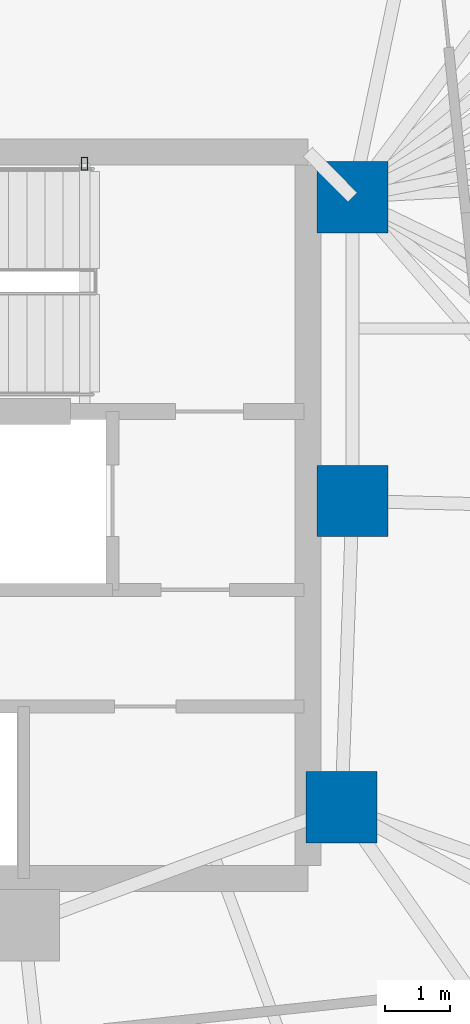
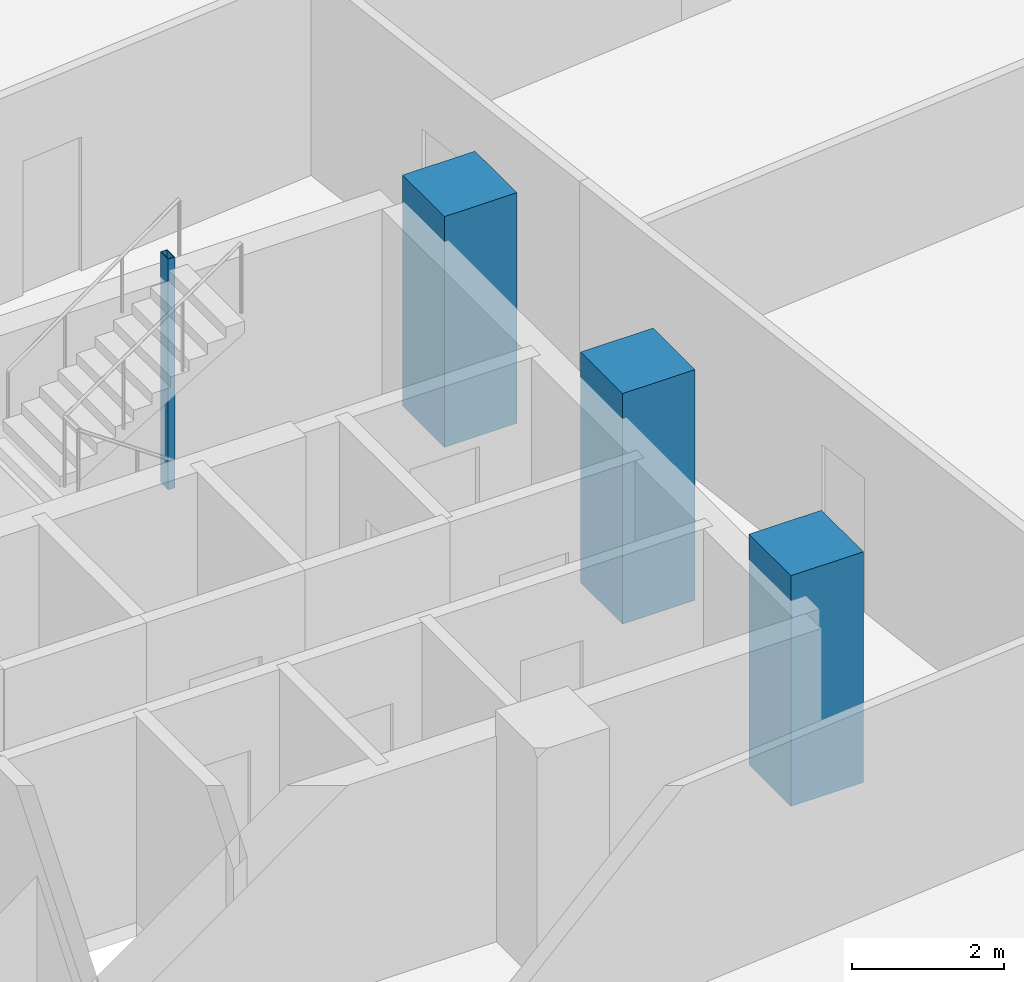
# One storey, part 4 of 18: 4 columns.
"""IFC4 building model written with IfcOpenShell, lengths in metres."""

from ifc_helpers import new_model, si_unit, direction, frame, origin, origin_2d, place, context, subcontext, project, spatial, rectangle, hollow_rectangle, extrude, material, material_profile, profile_set, type_object, element, save


model = new_model("IFC4")

# Units and contexts
model_context = context("Model", 3, precision=1e-05, world=origin(), true_north=direction((0.0, 1.0)))
body_context = subcontext(model_context, "Body", "Model", "MODEL_VIEW")
ifc_project = project(units=[si_unit("LENGTHUNIT", "METRE"), si_unit("AREAUNIT", "SQUARE_METRE"), si_unit("VOLUMEUNIT", "CUBIC_METRE"), si_unit("PLANEANGLEUNIT", "RADIAN"), si_unit("MASSUNIT", "GRAM", prefix="KILO")], contexts=[model_context])

# Site, building, storey
site_placement = place(None, origin())
site = spatial("IfcSite", under=ifc_project, at=site_placement, CompositionType="ELEMENT")
building_placement = place(site_placement, origin())
building = spatial("IfcBuilding", under=site, at=building_placement, Name="Menara Jurai Vektor", CompositionType="ELEMENT")
storey_placement = place(building_placement, frame((0.0, 0.0, 139.199951171875)))
storey = spatial("IfcBuildingStorey", under=building, at=storey_placement, Name="L35", CompositionType="ELEMENT", Elevation=139.199951171875)

# Columns
ifc_material_1 = material(Name="Concrete C50/60", Category="concrete")
ifc_material_profile_1 = material_profile(ifc_material_1, rectangle(XDim=1.10009765625, YDim=1.10009765625, at=origin_2d()), Name="RC 1100x1100")
ifc_profile_set_1 = profile_set([ifc_material_profile_1], Name="Concrete C50/60")
column_type_1 = type_object("IfcColumnType", Name="STR-COL-RC1100", PredefinedType="COLUMN", material=ifc_profile_set_1)
for number, where, z_axis, x_axis, name in (
    (1, (15.25, 4.89990234375, 0.0), (0.0, 0.0, 1.0), (1.0, 0.0, 0.0), "Core Spine Column CE-NE L35"),
    (2, (15.25, 0.219970703125, 0.0), (0.0, 0.0, 1.0), (1.0, 0.0, 0.0), "Core Spine Column CE-EM L35"),
    (3, (15.080078125, -4.5, 0.0), (0.0, 0.0, 1.0), (1.0, 0.0, 0.0), "Core Spine Column CE-SE L35"),
):
    element("IfcColumn", number, at=place(storey_placement, frame(where, z_axis=z_axis, x_axis=x_axis)), inside=storey, type_object=column_type_1, Name=name, PredefinedType="COLUMN", context=body_context, shape_type="SweptSolid", body=[
        extrude(rectangle(XDim=1.10009765625, YDim=1.10009765625, at=origin_2d()), origin(), (0.0, 0.0, 1.0), 3.699951171875),
    ])
ifc_material_2 = material(Name="Steel S355", Category="steel")
ifc_material_profile_2 = material_profile(ifc_material_2, hollow_rectangle(XDim=0.10009765625, YDim=0.199951171875, WallThickness=0.008056640625, at=origin_2d()), Name="RHS 200x100x8")
ifc_profile_set_2 = profile_set([ifc_material_profile_2], Name="Steel S355")
column_type_2 = type_object("IfcColumnType", Name="STR-COL-STAIR", PredefinedType="COLUMN", material=ifc_profile_set_2)
column_placement = place(storey_placement, frame((11.1201171875, 5.419921875, 0.0), z_axis=(0.0, 0.0, 1.0), x_axis=(1.0, 0.0, 0.0)))
element("IfcColumn", 4, at=column_placement, inside=storey, type_object=column_type_2, Name="Stair Well Header Column ST2-P2 L35", PredefinedType="COLUMN", context=body_context, shape_type="SweptSolid", body=[
    extrude(hollow_rectangle(XDim=0.10009765625, YDim=0.199951171875, WallThickness=0.008056640625, at=origin_2d()), origin(), (0.0, 0.0, 1.0), 3.699951171875),
])

save(model, "model.ifc")
